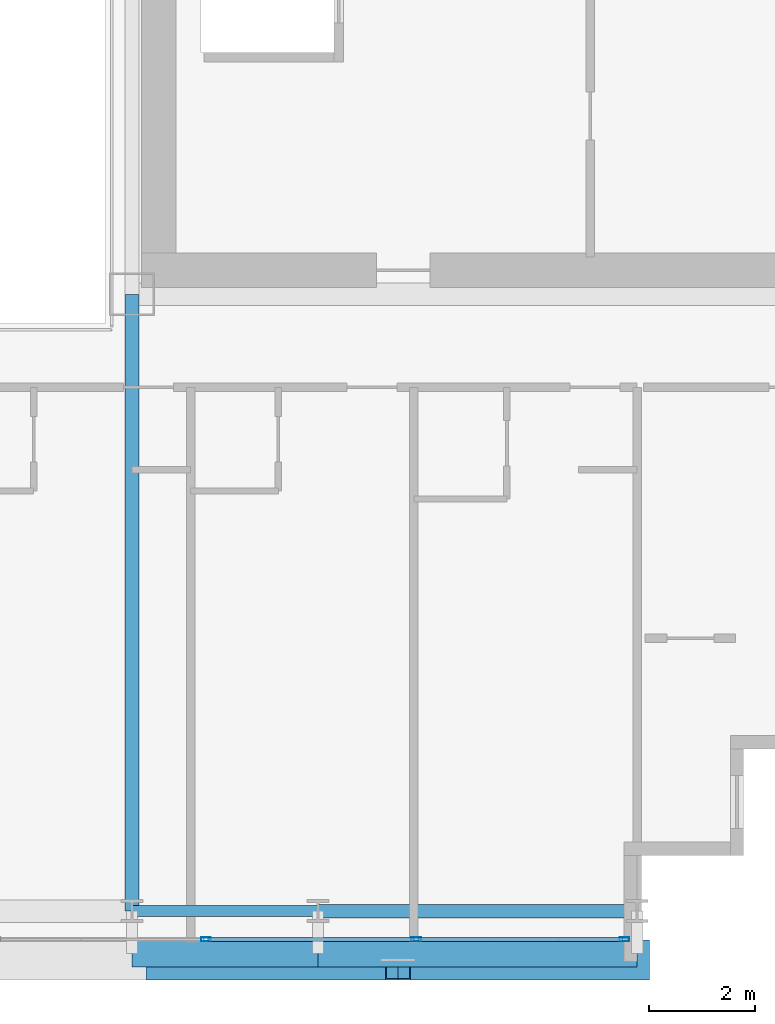
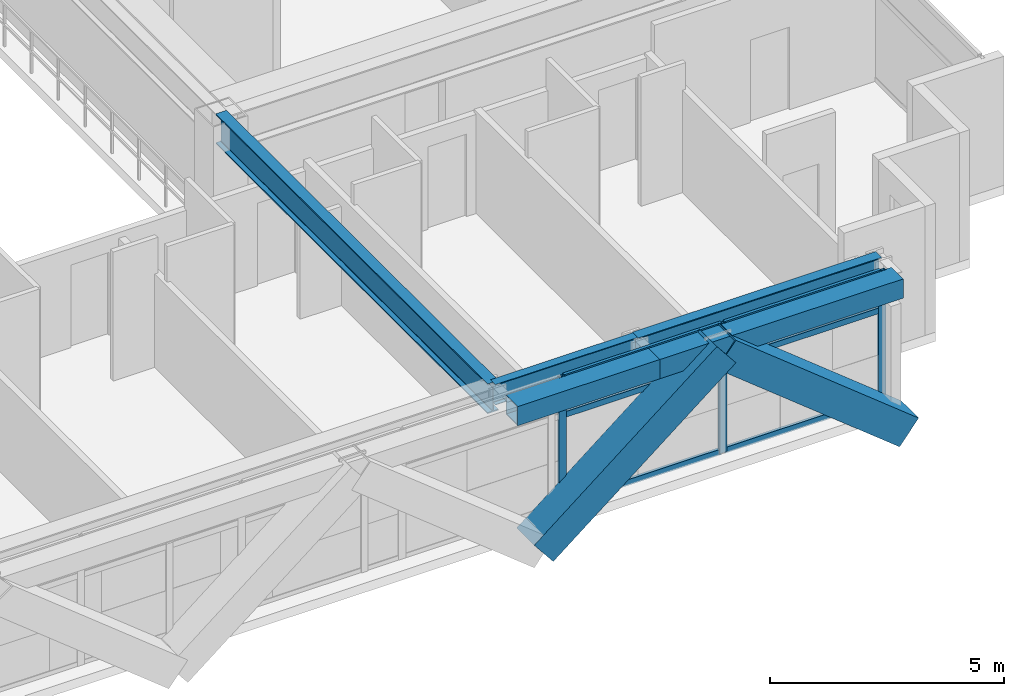
# One storey, part 10 of 36: 11 members, 5 beams, 1 element without a shape of its own.
"""IFC4 building model written with IfcOpenShell, lengths in metres."""

from ifc_helpers import new_model, si_unit, direction, frame, origin, origin_2d, place, context, subcontext, project, spatial, hollow_rectangle, i_section, extrude, source, transform, mapped, material, layer, layer_set, material_profile, profile_set, type_object, element, aggregate, save


model = new_model("IFC4")

# Units and contexts
model_context = context("Model", 3, precision=1e-05, world=origin(), true_north=direction((0.0, 1.0)))
body_context = subcontext(model_context, "Body", "Model", "MODEL_VIEW")
ifc_project = project(units=[si_unit("LENGTHUNIT", "METRE"), si_unit("AREAUNIT", "SQUARE_METRE"), si_unit("VOLUMEUNIT", "CUBIC_METRE"), si_unit("PLANEANGLEUNIT", "RADIAN"), si_unit("MASSUNIT", "GRAM", prefix="KILO")], contexts=[model_context])

# Site, building, storey
site_placement = place(None, origin())
site = spatial("IfcSite", under=ifc_project, at=site_placement, CompositionType="ELEMENT")
building_placement = place(site_placement, origin())
building = spatial("IfcBuilding", under=site, at=building_placement, Name="Ocotamira Hotel", CompositionType="ELEMENT")
storey_placement = place(building_placement, frame((0.0, 0.0, 97.199951171875)))
storey = spatial("IfcBuildingStorey", under=building, at=storey_placement, Name="L23", CompositionType="ELEMENT", Elevation=97.199951171875)

# Beams
ifc_material_1 = material(Name="Steel ASTM A992 Grade 50", Category="steel")
ifc_material_profile_1 = material_profile(ifc_material_1, i_section(OverallWidth=0.256103515625, OverallDepth=0.693115234375, WebThickness=0.014404296875, FlangeThickness=0.023681640625, FilletRadius=0.01611328125, at=origin_2d()), Name="W27X114")
ifc_profile_set_1 = profile_set([ifc_material_profile_1], Name="Steel ASTM A992 Grade 50")
beam_type_1 = type_object("IfcBeamType", Name="BM-PRIM-W27X114", PredefinedType="BEAM", material=ifc_profile_set_1)
shared_shape_1 = source(origin(), body_context, "Body", "SweptSolid", [
    extrude(i_section(OverallWidth=0.256103515625, OverallDepth=0.693115234375, WebThickness=0.014404296875, FlangeThickness=0.023681640625, FilletRadius=0.01611328125, at=origin_2d()), origin(), (0.0, 0.0, 1.0), 6.0),
])
beam_1_placement = place(storey_placement, frame((44.0, 2.949951171875, 3.013427734375), z_axis=(1.0, 0.0, 0.0), x_axis=(0.0, 1.0, 0.0)))
element("IfcBeam", 1, at=beam_1_placement, inside=storey, type_object=beam_type_1, Name="L23 Girder Y2.95 X44-50", PredefinedType="BEAM", context=body_context, shape_type="MappedRepresentation", body=[
    mapped(shared_shape_1, transform((0.0, 0.0, 0.0), scale=1.0)),
])
ifc_material_profile_2 = material_profile(ifc_material_1, i_section(OverallWidth=0.2099609375, OverallDepth=0.537109375, WebThickness=0.010986328125, FlangeThickness=0.017333984375, FilletRadius=0.012939453125, at=origin_2d()), Name="W21X68")
ifc_profile_set_2 = profile_set([ifc_material_profile_2], Name="Steel ASTM A992 Grade 50")
beam_type_2 = type_object("IfcBeamType", Name="BM-SEC-W21X68", PredefinedType="JOIST", material=ifc_profile_set_2)
shared_shape_2 = source(origin(), body_context, "Body", "SweptSolid", [
    extrude(i_section(OverallWidth=0.2099609375, OverallDepth=0.537109375, WebThickness=0.010986328125, FlangeThickness=0.017333984375, FilletRadius=0.012939453125, at=origin_2d()), origin(), (0.0, 0.0, 1.0), 3.5),
])
beam_2_placement = place(storey_placement, frame((40.5, 2.949951171875, 3.091552734375), z_axis=(1.0, 0.0, 0.0), x_axis=(0.0, 1.0, 0.0)))
element("IfcBeam", 2, at=beam_2_placement, inside=storey, type_object=beam_type_2, Name="L23 Girder Y2.95 X40.5-44", PredefinedType="JOIST", context=body_context, shape_type="MappedRepresentation", body=[
    mapped(shared_shape_2, transform((0.0, 0.0, 0.0), scale=1.0)),
])
ifc_material_profile_3 = material_profile(ifc_material_1, i_section(OverallWidth=0.26611328125, OverallDepth=0.779052734375, WebThickness=0.0166015625, FlangeThickness=0.030029296875, FilletRadius=0.01806640625, at=origin_2d()), Name="W30X148")
ifc_profile_set_3 = profile_set([ifc_material_profile_3], Name="Steel ASTM A992 Grade 50")
beam_type_3 = type_object("IfcBeamType", Name="BM-GIRD-W30X148", PredefinedType="BEAM", material=ifc_profile_set_3)
shared_shape_3 = source(origin(), body_context, "Body", "SweptSolid", [
    extrude(i_section(OverallWidth=0.26611328125, OverallDepth=0.779052734375, WebThickness=0.0166015625, FlangeThickness=0.030029296875, FilletRadius=0.01806640625, at=origin_2d()), origin(), (0.0, 0.0, 1.0), 11.60009765625),
])
beam_3_placement = place(storey_placement, frame((40.5, 2.949951171875, 2.970458984375), z_axis=(0.0, 1.0, 0.0), x_axis=(-1.0, 0.0, 0.0)))
element("IfcBeam", 3, at=beam_3_placement, inside=storey, type_object=beam_type_3, Name="L23 Beam X40.5 Y2.95-14.55", PredefinedType="BEAM", context=body_context, shape_type="MappedRepresentation", body=[
    mapped(shared_shape_3, transform((0.0, 0.0, 0.0), scale=1.0)),
])
ifc_material_2 = material(Name="Steel ASTM A500 Grade C", Category="steel")
ifc_material_profile_4 = material_profile(ifc_material_2, hollow_rectangle(XDim=0.5, YDim=0.5, WallThickness=0.02001953125, at=origin_2d()), Name="HSS500X500X20")
ifc_profile_set_4 = profile_set([ifc_material_profile_4], Name="Steel ASTM A500 Grade C")
beam_type_4 = type_object("IfcBeamType", Name="BM-SPAN-HSS500", PredefinedType="USERDEFINED", material=ifc_profile_set_4)
shared_shape_4 = source(origin(), body_context, "Body", "SweptSolid", [
    extrude(hollow_rectangle(XDim=0.5, YDim=0.5, WallThickness=0.02001953125, at=origin_2d()), origin(), (0.0, 0.0, 1.0), 6.0),
])
beam_4_placement = place(storey_placement, frame((44.0, 2.14990234375, 3.110107421875), z_axis=(1.0, 0.0, 0.0), x_axis=(0.0, 1.0, 0.0)))
element("IfcBeam", 4, at=beam_4_placement, inside=storey, type_object=beam_type_4, Name="L23 Edge Spandrel S X44-50", ObjectType="SPANDREL", PredefinedType="USERDEFINED", context=body_context, shape_type="MappedRepresentation", body=[
    mapped(shared_shape_4, transform((0.0, 0.0, 0.0), scale=1.0)),
])
shared_shape_5 = source(origin(), body_context, "Body", "SweptSolid", [
    extrude(hollow_rectangle(XDim=0.5, YDim=0.5, WallThickness=0.02001953125, at=origin_2d()), origin(), (0.0, 0.0, 1.0), 3.5),
])
beam_5_placement = place(storey_placement, frame((40.5, 2.14990234375, 3.110107421875), z_axis=(1.0, 0.0, 0.0), x_axis=(0.0, 1.0, 0.0)))
element("IfcBeam", 5, at=beam_5_placement, inside=storey, type_object=beam_type_4, Name="L23 Edge Spandrel S X40.5-44", ObjectType="SPANDREL", PredefinedType="USERDEFINED", context=body_context, shape_type="MappedRepresentation", body=[
    mapped(shared_shape_5, transform((0.0, 0.0, 0.0), scale=1.0)),
])

# Members
ifc_material_3 = material(Name="Pale-metal coated steel ASTM A913 Grade 65", Category="steel")
ifc_material_profile_5 = material_profile(ifc_material_3, hollow_rectangle(XDim=0.75, YDim=0.75, WallThickness=0.028076171875, at=origin_2d()), Name="BOX750X750X28")
ifc_profile_set_5 = profile_set([ifc_material_profile_5], Name="Pale-metal coated steel ASTM A913 Grade 65")
member_type_1 = type_object("IfcMemberType", Name="MEM-EXO-BOX750", PredefinedType="BRACE", material=ifc_profile_set_5)
shared_shape_6 = source(origin(), body_context, "Body", "SweptSolid", [
    extrude(hollow_rectangle(XDim=0.75, YDim=0.75, WallThickness=0.028076171875, at=origin_2d()), origin(), (0.0, 0.0, 1.0), 5.762939453125),
])
for number, where, z_axis, x_axis, name in (
    (6, (41.0, 2.030029296875, -0.489990234375), (0.780860543151, 0.0, 0.624705380279), (0.0, 1.0, 0.0), "L23 Exoskeleton Diagrid S3.1"),
    (7, (50.0, 2.030029296875, -0.489990234375), (-0.780860543151, 0.0, 0.624705380279), (0.0, -1.0, 0.0), "L23 Exoskeleton Diagrid S3.2"),
):
    element("IfcMember", number, at=place(storey_placement, frame(where, z_axis=z_axis, x_axis=x_axis)), inside=storey, type_object=member_type_1, Name=name, PredefinedType="BRACE", context=body_context, shape_type="MappedRepresentation", body=[
        mapped(shared_shape_6, transform((0.0, 0.0, 0.0), scale=1.0)),
    ])

# Curtain wall, members
ifc_material_4 = material(Name="Anodised pale-metal aluminium and solar glass", Category="aluminium")
ifc_layer = layer(ifc_material_4, 0.179931640625)
ifc_layer_set = layer_set([ifc_layer], Name="Anodised pale-metal aluminium and solar glass")
curtain_wall_type = type_object("IfcCurtainWallType", Name="CW-SYS3-Z2", PredefinedType="NOTDEFINED", material=ifc_layer_set)
curtain_wall_placement = place(storey_placement, origin())
curtain_wall = element("IfcCurtainWall", 8, at=curtain_wall_placement, inside=storey, type_object=curtain_wall_type, Name="L23 Curtain Wall CW-3 CW-L23-S1", PredefinedType="NOTDEFINED")
ifc_material_5 = material(Name="Anodised pale-metal aluminium 6063-T6", Category="aluminium")
ifc_material_profile_6 = material_profile(ifc_material_5, hollow_rectangle(XDim=0.074951171875, YDim=0.14990234375, WallThickness=0.006103515625, at=origin_2d()), Name="HSS150X75X6")
ifc_profile_set_6 = profile_set([ifc_material_profile_6], Name="Anodised pale-metal aluminium 6063-T6")
member_type_2 = type_object("IfcMemberType", Name="CWT-150X75", PredefinedType="USERDEFINED", material=ifc_profile_set_6)
shared_shape_7 = source(origin(), body_context, "Body", "SweptSolid", [
    extrude(hollow_rectangle(XDim=0.074951171875, YDim=0.14990234375, WallThickness=0.006103515625, at=origin_2d()), origin(), (0.0, 0.0, 1.0), 3.83544921875),
])
member_1_placement = place(storey_placement, frame((45.884521484375, 2.419921875, 0.03759765625), z_axis=(1.0, 0.0, 0.0), x_axis=(0.0, 1.0, 0.0)))
member_1 = element("IfcMember", 9, at=member_1_placement, type_object=member_type_2, Name="CW-3 transom 9.1", ObjectType="TRANSOM", PredefinedType="USERDEFINED", context=body_context, shape_type="MappedRepresentation", body=[
    mapped(shared_shape_7, transform((0.0, 0.0, 0.0), scale=1.0)),
])
member_2_placement = place(storey_placement, frame((45.884521484375, 2.419921875, 2.35009765625), z_axis=(1.0, 0.0, 0.0), x_axis=(0.0, 1.0, 0.0)))
member_2 = element("IfcMember", 10, at=member_2_placement, type_object=member_type_2, Name="CW-3 transom 9.2", ObjectType="TRANSOM", PredefinedType="USERDEFINED", context=body_context, shape_type="MappedRepresentation", body=[
    mapped(shared_shape_7, transform((0.0, 0.0, 0.0), scale=1.0)),
])
member_3_placement = place(storey_placement, frame((45.884521484375, 2.419921875, 3.322509765625), z_axis=(1.0, 0.0, 0.0), x_axis=(0.0, 1.0, 0.0)))
member_3 = element("IfcMember", 11, at=member_3_placement, type_object=member_type_2, Name="CW-3 transom 9.3", ObjectType="TRANSOM", PredefinedType="USERDEFINED", context=body_context, shape_type="MappedRepresentation", body=[
    mapped(shared_shape_7, transform((0.0, 0.0, 0.0), scale=1.0)),
])
shared_shape_8 = source(origin(), body_context, "Body", "SweptSolid", [
    extrude(hollow_rectangle(XDim=0.074951171875, YDim=0.14990234375, WallThickness=0.006103515625, at=origin_2d()), origin(), (0.0, 0.0, 1.0), 3.87548828125),
])
member_4_placement = place(storey_placement, frame((41.928955078125, 2.419921875, 0.03759765625), z_axis=(1.0, 0.0, 0.0), x_axis=(0.0, 1.0, 0.0)))
member_4 = element("IfcMember", 12, at=member_4_placement, type_object=member_type_2, Name="CW-3 transom 8.1", ObjectType="TRANSOM", PredefinedType="USERDEFINED", context=body_context, shape_type="MappedRepresentation", body=[
    mapped(shared_shape_8, transform((0.0, 0.0, 0.0), scale=1.0)),
])
member_5_placement = place(storey_placement, frame((41.928955078125, 2.419921875, 2.35009765625), z_axis=(1.0, 0.0, 0.0), x_axis=(0.0, 1.0, 0.0)))
member_5 = element("IfcMember", 13, at=member_5_placement, type_object=member_type_2, Name="CW-3 transom 8.2", ObjectType="TRANSOM", PredefinedType="USERDEFINED", context=body_context, shape_type="MappedRepresentation", body=[
    mapped(shared_shape_8, transform((0.0, 0.0, 0.0), scale=1.0)),
])
member_6_placement = place(storey_placement, frame((41.928955078125, 2.419921875, 3.322509765625), z_axis=(1.0, 0.0, 0.0), x_axis=(0.0, 1.0, 0.0)))
member_6 = element("IfcMember", 14, at=member_6_placement, type_object=member_type_2, Name="CW-3 transom 8.3", ObjectType="TRANSOM", PredefinedType="USERDEFINED", context=body_context, shape_type="MappedRepresentation", body=[
    mapped(shared_shape_8, transform((0.0, 0.0, 0.0), scale=1.0)),
])
ifc_material_profile_7 = material_profile(ifc_material_5, hollow_rectangle(XDim=0.080078125, YDim=0.179931640625, WallThickness=0.006103515625, at=origin_2d()), Name="HSS180X80X6")
ifc_profile_set_7 = profile_set([ifc_material_profile_7], Name="Anodised pale-metal aluminium 6063-T6")
member_type_3 = type_object("IfcMemberType", Name="CWM-180X75", PredefinedType="MULLION", material=ifc_profile_set_7)
shared_shape_9 = source(origin(), body_context, "Body", "SweptSolid", [
    extrude(hollow_rectangle(XDim=0.080078125, YDim=0.179931640625, WallThickness=0.006103515625, at=origin_2d()), origin(), (0.0, 0.0, 1.0), 3.360107421875),
])
member_7_placement = place(storey_placement, frame((41.888916015625, 2.419921875, 0.0), z_axis=(0.0, 0.0, 1.0), x_axis=(0.0, 1.0, 0.0)))
member_7 = element("IfcMember", 15, at=member_7_placement, type_object=member_type_3, Name="CW-3 mullion 8", PredefinedType="MULLION", context=body_context, shape_type="MappedRepresentation", body=[
    mapped(shared_shape_9, transform((0.0, 0.0, 0.0), scale=1.0)),
])
member_8_placement = place(storey_placement, frame((45.844482421875, 2.419921875, 0.0), z_axis=(0.0, 0.0, 1.0), x_axis=(0.0, 1.0, 0.0)))
member_8 = element("IfcMember", 16, at=member_8_placement, type_object=member_type_3, Name="CW-3 mullion 9", PredefinedType="MULLION", context=body_context, shape_type="MappedRepresentation", body=[
    mapped(shared_shape_9, transform((0.0, 0.0, 0.0), scale=1.0)),
])
member_9_placement = place(storey_placement, frame((49.760009765625, 2.419921875, 0.0), z_axis=(0.0, 0.0, 1.0), x_axis=(0.0, 1.0, 0.0)))
member_9 = element("IfcMember", 17, at=member_9_placement, type_object=member_type_3, Name="CW-3 mullion 10", PredefinedType="MULLION", context=body_context, shape_type="MappedRepresentation", body=[
    mapped(shared_shape_9, transform((0.0, 0.0, 0.0), scale=1.0)),
])
aggregate(curtain_wall, [member_7, member_8, member_9, member_4, member_5, member_6, member_1, member_2, member_3])

save(model, "model.ifc")
